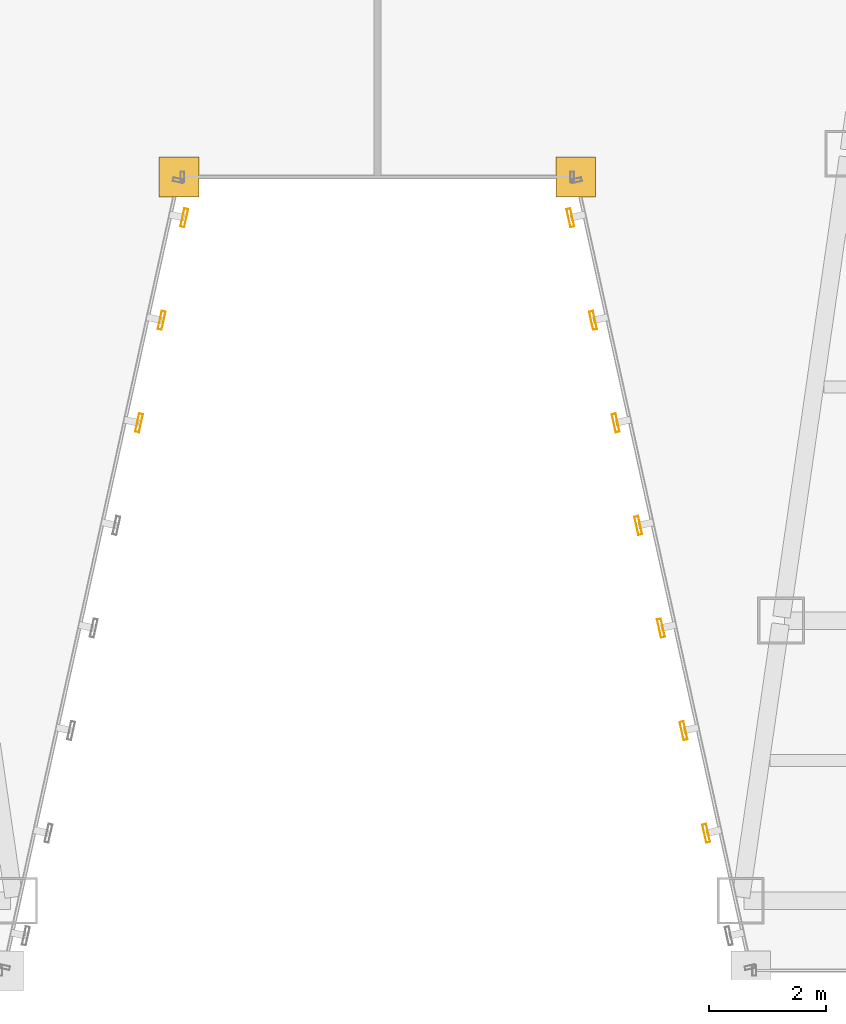
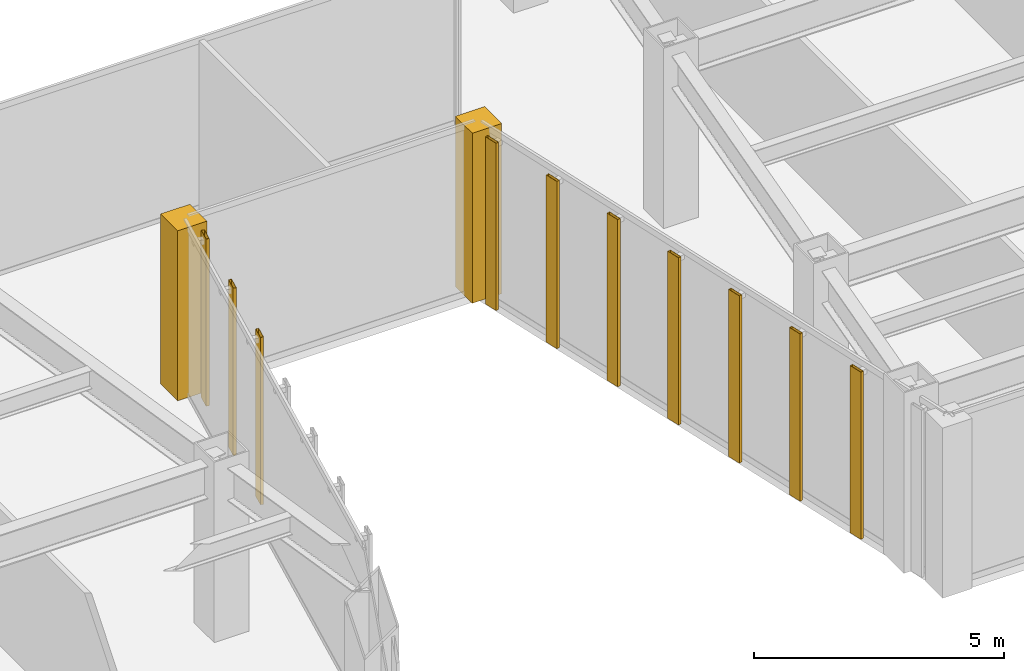
# One storey, part 42 of 47: 10 shading devices, 2 coverings.
"""IFC4 building model written with IfcOpenShell, lengths in metres."""

import ifcopenshell
import ifcopenshell.guid

model = None  # the IFC model being written
_history = None  # IfcOwnerHistory: only IFC2X3 demands one
_inside = {}  # id of a spatial element -> (the spatial element, [elements in it])
_under = {}  # id of a project, library or spatial element -> (it, [spatial elements below it])
_declared = {}  # id of a project -> (the project, [libraries it declares])
_typed = {}  # id of a type object -> (the type object, [elements of that type])
_made_of = {}  # id of a material, layer set ... -> (it, [elements and type objects made of it])


def new_model(schema):
    """Start an empty IFC model of exactly this schema.

    Asked for "IFC4X3", IfcOpenShell would pick the latest addendum, in which some entities
    have other attributes; the version numbers below select the first issue.
    IFC2X3 requires an IfcOwnerHistory on every rooted entity: one is made here for all.
    """
    global model, _history
    if schema == "IFC4X3":
        model = ifcopenshell.file(schema_version=(4, 3, 0, 0))
    else:
        model = ifcopenshell.file(schema=schema)
    _inside.clear()
    _under.clear()
    _declared.clear()
    _typed.clear()
    _made_of.clear()
    _history = None
    if model.schema == "IFC2X3":
        org = make("IfcOrganization", Name="unknown")
        user = make(
            "IfcPersonAndOrganization",
            ThePerson=make("IfcPerson", FamilyName="unknown"),
            TheOrganization=org,
        )
        app = make(
            "IfcApplication",
            ApplicationDeveloper=org,
            Version="unknown",
            ApplicationFullName="unknown",
            ApplicationIdentifier="unknown",
        )
        _history = make(
            "IfcOwnerHistory",
            OwningUser=user,
            OwningApplication=app,
            ChangeAction="ADDED",
            CreationDate=0,
        )
    return model


def make(cls, **values):
    """One entity of the class cls with the attributes given. An attribute that is None is left unset."""
    return model.create_entity(
        cls, **{name: value for name, value in values.items() if value is not None}
    )


def rooted(cls, **values):
    """An entity with a GlobalId (a new one), such as an element, a storey or a relation."""
    return make(cls, GlobalId=ifcopenshell.guid.new(), OwnerHistory=_history, **values)


def si_unit(unit_type, name, prefix=None):
    """IfcSIUnit, for example si_unit("LENGTHUNIT", "METRE", prefix="MILLI")."""
    return make("IfcSIUnit", UnitType=unit_type, Prefix=prefix, Name=name)


def assignment(units):
    """IfcUnitAssignment: the units of a project."""
    return None if units is None else make("IfcUnitAssignment", Units=units)


def point(xyz):
    """IfcCartesianPoint."""
    return None if xyz is None else make("IfcCartesianPoint", Coordinates=xyz)


def direction(xyz):
    """IfcDirection."""
    return None if xyz is None else make("IfcDirection", DirectionRatios=xyz)


def frame(location, z_axis=None, x_axis=None):
    """IfcAxis2Placement3D, a coordinate frame: its origin and axes. An axis left out is left unset."""
    return make(
        "IfcAxis2Placement3D",
        Location=point(location),
        Axis=direction(z_axis),
        RefDirection=direction(x_axis),
    )


def frame_2d(location, x_axis=None):
    """IfcAxis2Placement2D, a coordinate frame in the plane: its origin and x axis."""
    return make(
        "IfcAxis2Placement2D", Location=point(location), RefDirection=direction(x_axis)
    )


def origin():
    """The frame at (0, 0, 0) with its axes left unset."""
    return frame((0.0, 0.0, 0.0))


def origin_2d():
    """The frame at (0, 0) in the plane with its x axis left unset."""
    return frame_2d((0.0, 0.0))


def place(relative_to, where):
    """IfcLocalPlacement: puts the frame where relative to a parent placement (None: the world)."""
    return make(
        "IfcLocalPlacement", PlacementRelTo=relative_to, RelativePlacement=where
    )


def context(
    kind, dimensions, precision=None, world=None, true_north=None, identifier=None
):
    """IfcGeometricRepresentationContext, for example the 3D "Model" context."""
    return make(
        "IfcGeometricRepresentationContext",
        ContextIdentifier=identifier,
        ContextType=kind,
        CoordinateSpaceDimension=dimensions,
        Precision=precision,
        WorldCoordinateSystem=world,
        TrueNorth=true_north,
    )


def subcontext(parent, identifier, kind, view, scale=None):
    """IfcGeometricRepresentationSubContext, for example "Body" below "Model"."""
    return make(
        "IfcGeometricRepresentationSubContext",
        ContextIdentifier=identifier,
        ContextType=kind,
        ParentContext=parent,
        TargetScale=scale,
        TargetView=view,
    )


def project(units=None, contexts=None):
    """IfcProject with its units and contexts."""
    return rooted(
        "IfcProject",
        Name="project",
        RepresentationContexts=contexts,
        UnitsInContext=assignment(units),
    )


def spatial(cls, under=None, at=None, **own):
    """A site, building, storey or space (cls), placed at a placement, below another one or the project."""
    s = rooted(cls, ObjectPlacement=at, **own)
    if under is not None:
        _under.setdefault(under.id(), (under, []))[1].append(s)
    return s


def polyline(points):
    """IfcPolyline through the points."""
    return make("IfcPolyline", Points=[point(p) for p in points])


def profile(cls, at=None, kind="AREA", **sizes):
    """A parametric profile (cls). Its sizes go by their IFC names, for example OverallWidth=200.0."""
    return make(cls, ProfileType=kind, Position=at, **sizes)


def hollow_rectangle(**sizes):
    """IfcRectangleHollowProfileDef."""
    return profile("IfcRectangleHollowProfileDef", **sizes)


def outline(outer, holes=None, kind="AREA"):
    """IfcArbitraryClosedProfileDef: a profile drawn as a closed curve; with holes, ...WithVoids."""
    if holes is None:
        return make("IfcArbitraryClosedProfileDef", ProfileType=kind, OuterCurve=outer)
    return make(
        "IfcArbitraryProfileDefWithVoids",
        ProfileType=kind,
        OuterCurve=outer,
        InnerCurves=holes,
    )


def extrude(swept, where, along, depth):
    """IfcExtrudedAreaSolid: the profile swept, set in the frame where, extruded along a direction by depth."""
    return make(
        "IfcExtrudedAreaSolid",
        SweptArea=swept,
        Position=where,
        ExtrudedDirection=direction(along),
        Depth=depth,
    )


def shape(context_of_items, identifier, shape_type, items):
    """IfcShapeRepresentation: the items that make up one representation, for example the "Body"."""
    return make(
        "IfcShapeRepresentation",
        ContextOfItems=context_of_items,
        RepresentationIdentifier=identifier,
        RepresentationType=shape_type,
        Items=items,
    )


def material(Name=None, Category=None):
    """IfcMaterial."""
    return make("IfcMaterial", Name=Name, Category=Category)


def layer(
    of_material, thickness, ventilated=None, Name=None, Category=None, Priority=None
):
    """IfcMaterialLayer: one layer of a wall or slab, of a material (None: an air gap)."""
    return make(
        "IfcMaterialLayer",
        Material=of_material,
        LayerThickness=thickness,
        IsVentilated=ventilated,
        Name=Name,
        Category=Category,
        Priority=Priority,
    )


def layer_set(layers, Name=None):
    """IfcMaterialLayerSet."""
    return make("IfcMaterialLayerSet", MaterialLayers=layers, LayerSetName=Name)


def material_profile(
    of_material, cross_section, Name=None, Category=None, Priority=None
):
    """IfcMaterialProfile: a cross section and its material."""
    return make(
        "IfcMaterialProfile",
        Name=Name,
        Material=of_material,
        Profile=cross_section,
        Priority=Priority,
        Category=Category,
    )


def profile_set(profiles, Name=None, composite=None):
    """IfcMaterialProfileSet."""
    return make(
        "IfcMaterialProfileSet",
        Name=Name,
        MaterialProfiles=profiles,
        CompositeProfile=composite,
    )


def made_of(thing, what):
    """Note that an element or type object is made of a material, layer set ...; save() writes the relation."""
    if what is not None:
        _made_of.setdefault(what.id(), (what, []))[1].append(thing)
    return thing


def type_object(cls, material=None, **own):
    """A type object (cls), such as IfcWallType, which elements share."""
    return made_of(rooted(cls, **own), material)


def element(
    cls,
    number,
    at=None,
    inside=None,
    cuts=None,
    type_object=None,
    material=None,
    context=None,
    identifier="Body",
    shape_type=None,
    held_by="IfcProductDefinitionShape",
    body=None,
    shapes=None,
    **own,
):
    """One element of the class cls, such as IfcWall. Its Tag is "e" and its number.

    at: its placement. inside: the storey or other place that contains it. cuts: it is an
    opening in that element (IfcRelVoidsElement). A single representation is given by context,
    identifier, shape_type and body (its items); several are given by shapes. held_by: the class
    of the entity that holds the representations. save() writes the other relations.
    """
    e = rooted(cls, Tag="e%d" % number, ObjectPlacement=at, **own)
    if body is not None:
        shapes = [shape(context, identifier, shape_type, body)]
    if shapes is not None:
        e.Representation = make(held_by, Representations=shapes)
    if inside is not None:
        _inside.setdefault(inside.id(), (inside, []))[1].append(e)
    if cuts is not None:
        rooted(
            "IfcRelVoidsElement", RelatingBuildingElement=cuts, RelatedOpeningElement=e
        )
    if type_object is not None:
        _typed.setdefault(type_object.id(), (type_object, []))[1].append(e)
    return made_of(e, material)


def aggregate(whole, parts):
    """IfcRelAggregates: a whole, such as a stair, and the parts it consists of."""
    return rooted("IfcRelAggregates", RelatingObject=whole, RelatedObjects=parts)


def save(model, path):
    """Write the relations noted so far, then the file.

    IfcRelAggregates (storeys below a building ...), IfcRelContainedInSpatialStructure (elements
    in a storey), IfcRelDefinesByType, IfcRelAssociatesMaterial and IfcRelDeclares: one each for
    every whole, place, type object, material and project.
    """
    for whole, parts in _under.values():
        aggregate(whole, parts)
    for where, things in _inside.values():
        rooted(
            "IfcRelContainedInSpatialStructure",
            RelatedElements=things,
            RelatingStructure=where,
        )
    for kind, things in _typed.values():
        rooted("IfcRelDefinesByType", RelatedObjects=things, RelatingType=kind)
    for what, things in _made_of.values():
        rooted("IfcRelAssociatesMaterial", RelatedObjects=things, RelatingMaterial=what)
    for by, libraries in _declared.values():
        rooted("IfcRelDeclares", RelatingContext=by, RelatedDefinitions=libraries)
    model.write(path)


model = new_model("IFC4")

# Units and contexts
model_context = context("Model", 3, precision=1e-05, world=origin(), true_north=direction((0.0, 1.0)))
body_context = subcontext(model_context, "Body", "Model", "MODEL_VIEW")
ifc_project = project(units=[si_unit("LENGTHUNIT", "METRE"), si_unit("AREAUNIT", "SQUARE_METRE"), si_unit("VOLUMEUNIT", "CUBIC_METRE"), si_unit("PLANEANGLEUNIT", "RADIAN"), si_unit("MASSUNIT", "GRAM", prefix="KILO")], contexts=[model_context])

# Site, building, storey
site_placement = place(None, origin())
site = spatial("IfcSite", under=ifc_project, at=site_placement, CompositionType="ELEMENT")
building_placement = place(site_placement, origin())
building = spatial("IfcBuilding", under=site, at=building_placement, Name="Saevonmaru Cultural Tower", CompositionType="ELEMENT")
storey_placement = place(building_placement, frame((0.0, 0.0, 69.199951171875)))
storey = spatial("IfcBuildingStorey", under=building, at=storey_placement, Name="L14", CompositionType="ELEMENT", Elevation=69.199951171875)

# Coverings
ifc_material = material(Name="Satin Bronze Anodised Aluminium", Category="aluminium")
ifc_layer = layer(ifc_material, 0.679931640625, Name="Satin Bronze Anodised Aluminium")
ifc_layer_set = layer_set([ifc_layer], Name="Satin Bronze Anodised Aluminium")
covering_type = type_object("IfcCoveringType", Name="CV-CORNER-CLAD", PredefinedType="CLADDING", material=ifc_layer_set)
covering_1_placement = place(storey_placement, origin())
element("IfcCovering", 1, at=covering_1_placement, inside=storey, type_object=covering_type, Name="L14 Tower Bronze Corner Cladding Pier 4", PredefinedType="CLADDING", context=body_context, shape_type="SweptSolid", body=[
    extrude(outline(polyline([(26.260009765625, 15.260009765625), (26.93994140625, 15.260009765625), (26.93994140625, 15.93994140625), (26.260009765625, 15.93994140625), (26.260009765625, 15.260009765625)])), origin(), (0.0, 0.0, 1.0), 4.150146484375),
])
covering_2_placement = place(storey_placement, origin())
element("IfcCovering", 2, at=covering_2_placement, inside=storey, type_object=covering_type, Name="L14 Tower Bronze Corner Cladding Pier 5", PredefinedType="CLADDING", context=body_context, shape_type="SweptSolid", body=[
    extrude(outline(polyline([(33.06005859375, 15.260009765625), (33.739990234375, 15.260009765625), (33.739990234375, 15.93994140625), (33.06005859375, 15.93994140625), (33.06005859375, 15.260009765625)])), origin(), (0.0, 0.0, 1.0), 4.150146484375),
])

# Shading devices
ifc_material_profile = material_profile(ifc_material, hollow_rectangle(XDim=0.070068359375, YDim=0.320068359375, WallThickness=0.0048828125, at=origin_2d()), Name="FIN-320x70")
ifc_profile_set = profile_set([ifc_material_profile], Name="Satin Bronze Anodised Aluminium")
shading_device_type = type_object("IfcShadingDeviceType", Name="SHD-FIN-320", PredefinedType="JALOUSIE", material=ifc_profile_set)
for number, where, z_axis, x_axis, name in (
    (3, (25.916015625, 11.385009765625, 0.050048828125), (0.0, 0.0, 1.0), (0.976522126798, -0.215417120661, 0.0), "L14 Art Deco Sawtooth Bronze Fin E3-06"),
    (4, (26.3037109375, 13.142578125, 0.050048828125), (0.0, 0.0, 1.0), (0.976522126798, -0.215417120661, 0.0), "L14 Art Deco Sawtooth Bronze Fin E3-07"),
    (5, (26.69140625, 14.900390625, 0.050048828125), (0.0, 0.0, 1.0), (0.976522126798, -0.215417120661, 0.0), "L14 Art Deco Sawtooth Bronze Fin E3-08"),
    (6, (33.30859375, 14.900390625, 0.050048828125), (0.0, 0.0, 1.0), (-0.976522126798, -0.215417120661, 0.0), "L14 Art Deco Sawtooth Bronze Fin E5-01"),
    (7, (33.6962890625, 13.142578125, 0.050048828125), (0.0, 0.0, 1.0), (-0.976522126798, -0.215417120661, 0.0), "L14 Art Deco Sawtooth Bronze Fin E5-02"),
    (8, (34.083984375, 11.385009765625, 0.050048828125), (0.0, 0.0, 1.0), (-0.976522126798, -0.215417120661, 0.0), "L14 Art Deco Sawtooth Bronze Fin E5-03"),
    (9, (34.4716796875, 9.627197265625, 0.050048828125), (0.0, 0.0, 1.0), (-0.976522126798, -0.215417120661, 0.0), "L14 Art Deco Sawtooth Bronze Fin E5-04"),
    (10, (34.859619140625, 7.869384765625, 0.050048828125), (0.0, 0.0, 1.0), (-0.976522126798, -0.215417120661, 0.0), "L14 Art Deco Sawtooth Bronze Fin E5-05"),
    (11, (35.247314453125, 6.11181640625, 0.050048828125), (0.0, 0.0, 1.0), (-0.976522126798, -0.215417120661, 0.0), "L14 Art Deco Sawtooth Bronze Fin E5-06"),
    (12, (35.635009765625, 4.35400390625, 0.050048828125), (0.0, 0.0, 1.0), (-0.976522126798, -0.215417120661, 0.0), "L14 Art Deco Sawtooth Bronze Fin E5-07"),
):
    element("IfcShadingDevice", number, at=place(storey_placement, frame(where, z_axis=z_axis, x_axis=x_axis)), inside=storey, type_object=shading_device_type, Name=name, PredefinedType="JALOUSIE", context=body_context, shape_type="SweptSolid", body=[
        extrude(hollow_rectangle(XDim=0.070068359375, YDim=0.320068359375, WallThickness=0.0048828125, at=origin_2d()), origin(), (0.0, 0.0, 1.0), 4.080078125),
    ])

save(model, "model.ifc")
